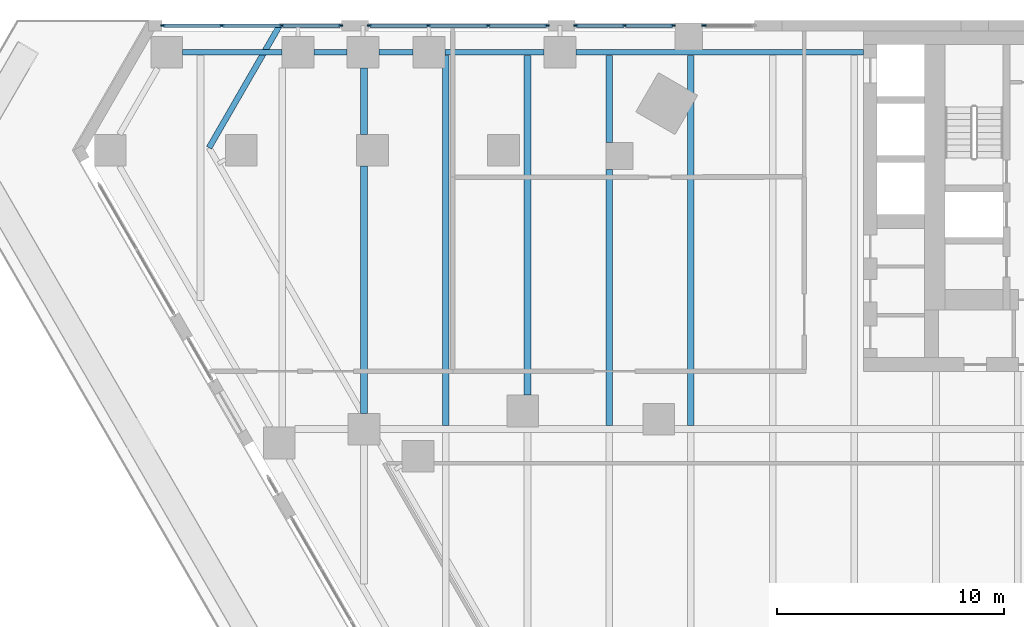
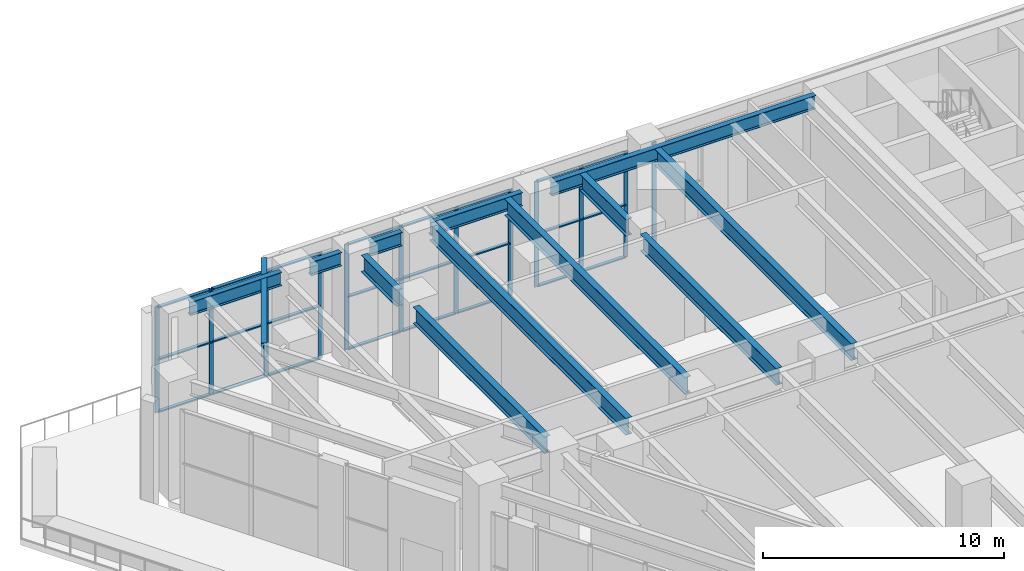
# One storey, part 12 of 40: 36 members, 13 beams, 4 elements without a shape of their own.
"""IFC4 building model written with IfcOpenShell, lengths in metres."""

from ifc_helpers import new_model, si_unit, direction, frame, origin, origin_2d, place, context, subcontext, project, spatial, rectangle, i_section, extrude, material, material_profile, profile_set, type_object, element, aggregate, save


model = new_model("IFC4")

# Units and contexts
model_context = context("Model", 3, precision=1e-05, world=origin(), true_north=direction((0.0, 1.0)))
body_context = subcontext(model_context, "Body", "Model", "MODEL_VIEW")
ifc_project = project(units=[si_unit("LENGTHUNIT", "METRE"), si_unit("AREAUNIT", "SQUARE_METRE"), si_unit("VOLUMEUNIT", "CUBIC_METRE"), si_unit("PLANEANGLEUNIT", "RADIAN"), si_unit("MASSUNIT", "GRAM", prefix="KILO")], contexts=[model_context])

# Site, building, storey
site_placement = place(None, origin())
site = spatial("IfcSite", under=ifc_project, at=site_placement, CompositionType="ELEMENT")
building_placement = place(site_placement, origin())
building = spatial("IfcBuilding", under=site, at=building_placement, Name="Aloe Facet Convention Tower", CompositionType="ELEMENT")
storey_placement = place(building_placement, frame((0.0, 0.0, 13.5)))
storey = spatial("IfcBuildingStorey", under=building, at=storey_placement, Name="L02", CompositionType="ELEMENT", Elevation=13.5)

# Beam
ifc_material_1 = material(Name="Steel S355", Category="steel")
ifc_material_profile_1 = material_profile(ifc_material_1, i_section(OverallWidth=0.25439453125, OverallDepth=0.6875, WebThickness=0.01318359375, FlangeThickness=0.02099609375, FilletRadius=0.01513671875, at=origin_2d()), Name="UB 686x254x152")
ifc_profile_set_1 = profile_set([ifc_material_profile_1], Name="Steel S355")
beam_type_1 = type_object("IfcBeamType", Name="EV-EB-UB686x254x152", PredefinedType="BEAM", material=ifc_profile_set_1)
beam_1_placement = place(storey_placement, frame((40.279541015625, 134.77490234375, 5.40625), z_axis=(-0.500016243463, -0.866016025414, 0.0), x_axis=(0.866016025414, -0.500016243463, 0.0)))
element("IfcBeam", 1, at=beam_1_placement, inside=storey, type_object=beam_type_1, Name="EB-L03-A", PredefinedType="BEAM", context=body_context, shape_type="SweptSolid", body=[
    extrude(i_section(OverallWidth=0.25439453125, OverallDepth=0.6875, WebThickness=0.01318359375, FlangeThickness=0.02099609375, FilletRadius=0.01513671875, at=origin_2d()), origin(), (0.0, 0.0, 1.0), 6.210205078125),
])

# Curtain wall, member
ifc_material_2 = material(Name="Aluminium, anodised", Category="aluminium")
curtain_wall_type = type_object("IfcCurtainWallType", Name="EV-CW-HALL", PredefinedType="USERDEFINED", material=ifc_material_2)
curtain_wall_1_placement = place(storey_placement, origin())
curtain_wall_1 = element("IfcCurtainWall", 2, at=curtain_wall_1_placement, inside=storey, type_object=curtain_wall_type, Name="CW-L02-N16-1", ObjectType="UNITISED HALL GLAZING", PredefinedType="USERDEFINED")
ifc_material_3 = material(Name="Aluminium, anodised", Category="aluminium")
ifc_material_profile_2 = material_profile(ifc_material_3, rectangle(XDim=0.06494140625, YDim=0.199951171875, at=origin_2d()), Name="AL 65x200")
ifc_profile_set_2 = profile_set([ifc_material_profile_2], Name="Aluminium, anodised")
member_type_1 = type_object("IfcMemberType", Name="EV-MULL-HALL", PredefinedType="MULLION", material=ifc_profile_set_2)
member_1_placement = place(storey_placement, frame((58.982421875, 134.77490234375, -0.300048828125), z_axis=(0.0, 0.0, 1.0), x_axis=(0.0, -1.0, 0.0)))
member_1 = element("IfcMember", 3, at=member_1_placement, type_object=member_type_1, Name="CW-L02-N16-1 mullion 2", PredefinedType="MULLION", context=body_context, shape_type="SweptSolid", body=[
    extrude(rectangle(XDim=0.06494140625, YDim=0.199951171875, at=origin_2d()), origin(), (0.0, 0.0, 1.0), 5.362548828125),
])
aggregate(curtain_wall_1, [member_1])

# Curtain wall, members
curtain_wall_2_placement = place(storey_placement, origin())
curtain_wall_2 = element("IfcCurtainWall", 4, at=curtain_wall_2_placement, inside=storey, type_object=curtain_wall_type, Name="CW-L02-N16-2", ObjectType="UNITISED HALL GLAZING", PredefinedType="USERDEFINED")
member_2_placement = place(storey_placement, frame((57.617431640625, 134.77490234375, -0.300048828125), z_axis=(0.0, 0.0, 1.0), x_axis=(0.0, -1.0, 0.0)))
member_2 = element("IfcMember", 5, at=member_2_placement, type_object=member_type_1, Name="CW-L02-N16-2 mullion 1", PredefinedType="MULLION", context=body_context, shape_type="SweptSolid", body=[
    extrude(rectangle(XDim=0.06494140625, YDim=0.199951171875, at=origin_2d()), origin(), (0.0, 0.0, 1.0), 5.362548828125),
])
member_3_placement = place(storey_placement, frame((55.476806640625, 134.77490234375, -0.300048828125), z_axis=(0.0, 0.0, 1.0), x_axis=(0.0, -1.0, 0.0)))
member_3 = element("IfcMember", 6, at=member_3_placement, type_object=member_type_1, Name="CW-L02-N16-2 mullion 2", PredefinedType="MULLION", context=body_context, shape_type="SweptSolid", body=[
    extrude(rectangle(XDim=0.06494140625, YDim=0.199951171875, at=origin_2d()), origin(), (0.0, 0.0, 1.0), 5.362548828125),
])
member_4_placement = place(storey_placement, frame((53.336181640625, 134.77490234375, -0.300048828125), z_axis=(0.0, 0.0, 1.0), x_axis=(0.0, -1.0, 0.0)))
member_4 = element("IfcMember", 7, at=member_4_placement, type_object=member_type_1, Name="CW-L02-N16-2 mullion 3", PredefinedType="MULLION", context=body_context, shape_type="SweptSolid", body=[
    extrude(rectangle(XDim=0.06494140625, YDim=0.199951171875, at=origin_2d()), origin(), (0.0, 0.0, 1.0), 5.362548828125),
])

curtain_wall_3_placement = place(storey_placement, origin())
curtain_wall_3 = element("IfcCurtainWall", 8, at=curtain_wall_3_placement, inside=storey, type_object=curtain_wall_type, Name="CW-L02-N18", ObjectType="UNITISED HALL GLAZING", PredefinedType="USERDEFINED")
member_5_placement = place(storey_placement, frame((52.071044921875, 134.77490234375, -0.300048828125), z_axis=(0.0, 0.0, 1.0), x_axis=(0.0, -1.0, 0.0)))
member_5 = element("IfcMember", 9, at=member_5_placement, type_object=member_type_1, Name="CW-L02-N18 mullion 1", PredefinedType="MULLION", context=body_context, shape_type="SweptSolid", body=[
    extrude(rectangle(XDim=0.06494140625, YDim=0.199951171875, at=origin_2d()), origin(), (0.0, 0.0, 1.0), 5.362548828125),
])
member_6_placement = place(storey_placement, frame((49.470703125, 134.77490234375, -0.300048828125), z_axis=(0.0, 0.0, 1.0), x_axis=(0.0, -1.0, 0.0)))
member_6 = element("IfcMember", 10, at=member_6_placement, type_object=member_type_1, Name="CW-L02-N18 mullion 2", PredefinedType="MULLION", context=body_context, shape_type="SweptSolid", body=[
    extrude(rectangle(XDim=0.06494140625, YDim=0.199951171875, at=origin_2d()), origin(), (0.0, 0.0, 1.0), 5.362548828125),
])
member_7_placement = place(storey_placement, frame((46.837646484375, 134.77490234375, -0.300048828125), z_axis=(0.0, 0.0, 1.0), x_axis=(0.0, -1.0, 0.0)))
member_7 = element("IfcMember", 11, at=member_7_placement, type_object=member_type_1, Name="CW-L02-N18 mullion 3", PredefinedType="MULLION", context=body_context, shape_type="SweptSolid", body=[
    extrude(rectangle(XDim=0.06494140625, YDim=0.199951171875, at=origin_2d()), origin(), (0.0, 0.0, 1.0), 5.362548828125),
])
member_8_placement = place(storey_placement, frame((44.2373046875, 134.77490234375, -0.300048828125), z_axis=(0.0, 0.0, 1.0), x_axis=(0.0, -1.0, 0.0)))
member_8 = element("IfcMember", 12, at=member_8_placement, type_object=member_type_1, Name="CW-L02-N18 mullion 4", PredefinedType="MULLION", context=body_context, shape_type="SweptSolid", body=[
    extrude(rectangle(XDim=0.06494140625, YDim=0.199951171875, at=origin_2d()), origin(), (0.0, 0.0, 1.0), 5.362548828125),
])

curtain_wall_4_placement = place(storey_placement, origin())
curtain_wall_4 = element("IfcCurtainWall", 13, at=curtain_wall_4_placement, inside=storey, type_object=curtain_wall_type, Name="CW-L02-N20", ObjectType="UNITISED HALL GLAZING", PredefinedType="USERDEFINED")
member_9_placement = place(storey_placement, frame((42.972412109375, 134.77490234375, -0.300048828125), z_axis=(0.0, 0.0, 1.0), x_axis=(0.0, -1.0, 0.0)))
member_9 = element("IfcMember", 14, at=member_9_placement, type_object=member_type_1, Name="CW-L02-N20 mullion 1", PredefinedType="MULLION", context=body_context, shape_type="SweptSolid", body=[
    extrude(rectangle(XDim=0.06494140625, YDim=0.199951171875, at=origin_2d()), origin(), (0.0, 0.0, 1.0), 5.362548828125),
])
member_10_placement = place(storey_placement, frame((40.371826171875, 134.77490234375, -0.300048828125), z_axis=(0.0, 0.0, 1.0), x_axis=(0.0, -1.0, 0.0)))
member_10 = element("IfcMember", 15, at=member_10_placement, type_object=member_type_1, Name="CW-L02-N20 mullion 2", PredefinedType="MULLION", context=body_context, shape_type="SweptSolid", body=[
    extrude(rectangle(XDim=0.06494140625, YDim=0.199951171875, at=origin_2d()), origin(), (0.0, 0.0, 1.0), 5.362548828125),
])
member_11_placement = place(storey_placement, frame((37.739013671875, 134.77490234375, -0.300048828125), z_axis=(0.0, 0.0, 1.0), x_axis=(0.0, -1.0, 0.0)))
member_11 = element("IfcMember", 16, at=member_11_placement, type_object=member_type_1, Name="CW-L02-N20 mullion 3", PredefinedType="MULLION", context=body_context, shape_type="SweptSolid", body=[
    extrude(rectangle(XDim=0.06494140625, YDim=0.199951171875, at=origin_2d()), origin(), (0.0, 0.0, 1.0), 5.362548828125),
])
member_12_placement = place(storey_placement, frame((35.138427734375, 134.77490234375, -0.300048828125), z_axis=(0.0, 0.0, 1.0), x_axis=(0.0, -1.0, 0.0)))
member_12 = element("IfcMember", 17, at=member_12_placement, type_object=member_type_1, Name="CW-L02-N20 mullion 4", PredefinedType="MULLION", context=body_context, shape_type="SweptSolid", body=[
    extrude(rectangle(XDim=0.06494140625, YDim=0.199951171875, at=origin_2d()), origin(), (0.0, 0.0, 1.0), 5.362548828125),
])

# Member
ifc_material_4 = material(Name="Aluminium, anodised", Category="aluminium")
ifc_material_profile_3 = material_profile(ifc_material_4, rectangle(XDim=0.159912109375, YDim=0.06494140625, at=origin_2d()), Name="AL 160x65")
ifc_profile_set_3 = profile_set([ifc_material_profile_3], Name="Aluminium, anodised")
member_type_2 = type_object("IfcMemberType", Name="EV-TRAN-HALL", PredefinedType="USERDEFINED", material=ifc_profile_set_3)
member_13_placement = place(storey_placement, frame((57.5849609375, 134.77490234375, -0.267578125), z_axis=(-1.0, 0.0, 0.0), x_axis=(0.0, -1.0, 0.0)))
member_13 = element("IfcMember", 18, at=member_13_placement, type_object=member_type_2, Name="CW-L02-N16-2 transom 1.1", ObjectType="TRANSOM", PredefinedType="USERDEFINED", context=body_context, shape_type="SweptSolid", body=[
    extrude(rectangle(XDim=0.159912109375, YDim=0.06494140625, at=origin_2d()), origin(), (0.0, 0.0, 1.0), 2.07568359375),
])

member_14_placement = place(storey_placement, frame((57.5849609375, 134.77490234375, 2.38134765625), z_axis=(-1.0, 0.0, 0.0), x_axis=(0.0, -1.0, 0.0)))
member_14 = element("IfcMember", 19, at=member_14_placement, type_object=member_type_2, Name="CW-L02-N16-2 transom 1.2", ObjectType="TRANSOM", PredefinedType="USERDEFINED", context=body_context, shape_type="SweptSolid", body=[
    extrude(rectangle(XDim=0.159912109375, YDim=0.06494140625, at=origin_2d()), origin(), (0.0, 0.0, 1.0), 2.07568359375),
])

member_15_placement = place(storey_placement, frame((57.5849609375, 134.77490234375, 5.030029296875), z_axis=(-1.0, 0.0, 0.0), x_axis=(0.0, -1.0, 0.0)))
member_15 = element("IfcMember", 20, at=member_15_placement, type_object=member_type_2, Name="CW-L02-N16-2 transom 1.3", ObjectType="TRANSOM", PredefinedType="USERDEFINED", context=body_context, shape_type="SweptSolid", body=[
    extrude(rectangle(XDim=0.159912109375, YDim=0.06494140625, at=origin_2d()), origin(), (0.0, 0.0, 1.0), 2.07568359375),
])

member_16_placement = place(storey_placement, frame((55.4443359375, 134.77490234375, -0.267578125), z_axis=(-1.0, 0.0, 0.0), x_axis=(0.0, -1.0, 0.0)))
member_16 = element("IfcMember", 21, at=member_16_placement, type_object=member_type_2, Name="CW-L02-N16-2 transom 2.1", ObjectType="TRANSOM", PredefinedType="USERDEFINED", context=body_context, shape_type="SweptSolid", body=[
    extrude(rectangle(XDim=0.159912109375, YDim=0.06494140625, at=origin_2d()), origin(), (0.0, 0.0, 1.0), 2.07568359375),
])

member_17_placement = place(storey_placement, frame((55.4443359375, 134.77490234375, 2.38134765625), z_axis=(-1.0, 0.0, 0.0), x_axis=(0.0, -1.0, 0.0)))
member_17 = element("IfcMember", 22, at=member_17_placement, type_object=member_type_2, Name="CW-L02-N16-2 transom 2.2", ObjectType="TRANSOM", PredefinedType="USERDEFINED", context=body_context, shape_type="SweptSolid", body=[
    extrude(rectangle(XDim=0.159912109375, YDim=0.06494140625, at=origin_2d()), origin(), (0.0, 0.0, 1.0), 2.07568359375),
])

member_18_placement = place(storey_placement, frame((55.4443359375, 134.77490234375, 5.030029296875), z_axis=(-1.0, 0.0, 0.0), x_axis=(0.0, -1.0, 0.0)))
member_18 = element("IfcMember", 23, at=member_18_placement, type_object=member_type_2, Name="CW-L02-N16-2 transom 2.3", ObjectType="TRANSOM", PredefinedType="USERDEFINED", context=body_context, shape_type="SweptSolid", body=[
    extrude(rectangle(XDim=0.159912109375, YDim=0.06494140625, at=origin_2d()), origin(), (0.0, 0.0, 1.0), 2.07568359375),
])

aggregate(curtain_wall_2, [member_2, member_3, member_4, member_13, member_14, member_15, member_16, member_17, member_18])

member_19_placement = place(storey_placement, frame((52.03857421875, 134.77490234375, -0.267578125), z_axis=(-1.0, 0.0, 0.0), x_axis=(0.0, -1.0, 0.0)))
member_19 = element("IfcMember", 24, at=member_19_placement, type_object=member_type_2, Name="CW-L02-N18 transom 1.1", ObjectType="TRANSOM", PredefinedType="USERDEFINED", context=body_context, shape_type="SweptSolid", body=[
    extrude(rectangle(XDim=0.159912109375, YDim=0.06494140625, at=origin_2d()), origin(), (0.0, 0.0, 1.0), 2.535400390625),
])

member_20_placement = place(storey_placement, frame((52.03857421875, 134.77490234375, 2.38134765625), z_axis=(-1.0, 0.0, 0.0), x_axis=(0.0, -1.0, 0.0)))
member_20 = element("IfcMember", 25, at=member_20_placement, type_object=member_type_2, Name="CW-L02-N18 transom 1.2", ObjectType="TRANSOM", PredefinedType="USERDEFINED", context=body_context, shape_type="SweptSolid", body=[
    extrude(rectangle(XDim=0.159912109375, YDim=0.06494140625, at=origin_2d()), origin(), (0.0, 0.0, 1.0), 2.535400390625),
])

member_21_placement = place(storey_placement, frame((52.03857421875, 134.77490234375, 5.030029296875), z_axis=(-1.0, 0.0, 0.0), x_axis=(0.0, -1.0, 0.0)))
member_21 = element("IfcMember", 26, at=member_21_placement, type_object=member_type_2, Name="CW-L02-N18 transom 1.3", ObjectType="TRANSOM", PredefinedType="USERDEFINED", context=body_context, shape_type="SweptSolid", body=[
    extrude(rectangle(XDim=0.159912109375, YDim=0.06494140625, at=origin_2d()), origin(), (0.0, 0.0, 1.0), 2.535400390625),
])

member_22_placement = place(storey_placement, frame((49.438232421875, 134.77490234375, -0.267578125), z_axis=(-1.0, 0.0, 0.0), x_axis=(0.0, -1.0, 0.0)))
member_22 = element("IfcMember", 27, at=member_22_placement, type_object=member_type_2, Name="CW-L02-N18 transom 2.1", ObjectType="TRANSOM", PredefinedType="USERDEFINED", context=body_context, shape_type="SweptSolid", body=[
    extrude(rectangle(XDim=0.159912109375, YDim=0.06494140625, at=origin_2d()), origin(), (0.0, 0.0, 1.0), 2.568115234375),
])

member_23_placement = place(storey_placement, frame((49.438232421875, 134.77490234375, 2.38134765625), z_axis=(-1.0, 0.0, 0.0), x_axis=(0.0, -1.0, 0.0)))
member_23 = element("IfcMember", 28, at=member_23_placement, type_object=member_type_2, Name="CW-L02-N18 transom 2.2", ObjectType="TRANSOM", PredefinedType="USERDEFINED", context=body_context, shape_type="SweptSolid", body=[
    extrude(rectangle(XDim=0.159912109375, YDim=0.06494140625, at=origin_2d()), origin(), (0.0, 0.0, 1.0), 2.568115234375),
])

member_24_placement = place(storey_placement, frame((49.438232421875, 134.77490234375, 5.030029296875), z_axis=(-1.0, 0.0, 0.0), x_axis=(0.0, -1.0, 0.0)))
member_24 = element("IfcMember", 29, at=member_24_placement, type_object=member_type_2, Name="CW-L02-N18 transom 2.3", ObjectType="TRANSOM", PredefinedType="USERDEFINED", context=body_context, shape_type="SweptSolid", body=[
    extrude(rectangle(XDim=0.159912109375, YDim=0.06494140625, at=origin_2d()), origin(), (0.0, 0.0, 1.0), 2.568115234375),
])

member_25_placement = place(storey_placement, frame((46.80517578125, 134.77490234375, -0.267578125), z_axis=(-1.0, 0.0, 0.0), x_axis=(0.0, -1.0, 0.0)))
member_25 = element("IfcMember", 30, at=member_25_placement, type_object=member_type_2, Name="CW-L02-N18 transom 3.1", ObjectType="TRANSOM", PredefinedType="USERDEFINED", context=body_context, shape_type="SweptSolid", body=[
    extrude(rectangle(XDim=0.159912109375, YDim=0.06494140625, at=origin_2d()), origin(), (0.0, 0.0, 1.0), 2.535400390625),
])

member_26_placement = place(storey_placement, frame((46.80517578125, 134.77490234375, 2.38134765625), z_axis=(-1.0, 0.0, 0.0), x_axis=(0.0, -1.0, 0.0)))
member_26 = element("IfcMember", 31, at=member_26_placement, type_object=member_type_2, Name="CW-L02-N18 transom 3.2", ObjectType="TRANSOM", PredefinedType="USERDEFINED", context=body_context, shape_type="SweptSolid", body=[
    extrude(rectangle(XDim=0.159912109375, YDim=0.06494140625, at=origin_2d()), origin(), (0.0, 0.0, 1.0), 2.535400390625),
])

member_27_placement = place(storey_placement, frame((46.80517578125, 134.77490234375, 5.030029296875), z_axis=(-1.0, 0.0, 0.0), x_axis=(0.0, -1.0, 0.0)))
member_27 = element("IfcMember", 32, at=member_27_placement, type_object=member_type_2, Name="CW-L02-N18 transom 3.3", ObjectType="TRANSOM", PredefinedType="USERDEFINED", context=body_context, shape_type="SweptSolid", body=[
    extrude(rectangle(XDim=0.159912109375, YDim=0.06494140625, at=origin_2d()), origin(), (0.0, 0.0, 1.0), 2.535400390625),
])

aggregate(curtain_wall_3, [member_5, member_6, member_7, member_8, member_19, member_20, member_21, member_22, member_23, member_24, member_25, member_26, member_27])

member_28_placement = place(storey_placement, frame((42.939697265625, 134.77490234375, -0.267578125), z_axis=(-1.0, 0.0, 0.0), x_axis=(0.0, -1.0, 0.0)))
member_28 = element("IfcMember", 33, at=member_28_placement, type_object=member_type_2, Name="CW-L02-N20 transom 1.1", ObjectType="TRANSOM", PredefinedType="USERDEFINED", context=body_context, shape_type="SweptSolid", body=[
    extrude(rectangle(XDim=0.159912109375, YDim=0.06494140625, at=origin_2d()), origin(), (0.0, 0.0, 1.0), 2.535400390625),
])

member_29_placement = place(storey_placement, frame((42.939697265625, 134.77490234375, 2.38134765625), z_axis=(-1.0, 0.0, 0.0), x_axis=(0.0, -1.0, 0.0)))
member_29 = element("IfcMember", 34, at=member_29_placement, type_object=member_type_2, Name="CW-L02-N20 transom 1.2", ObjectType="TRANSOM", PredefinedType="USERDEFINED", context=body_context, shape_type="SweptSolid", body=[
    extrude(rectangle(XDim=0.159912109375, YDim=0.06494140625, at=origin_2d()), origin(), (0.0, 0.0, 1.0), 2.535400390625),
])

member_30_placement = place(storey_placement, frame((42.939697265625, 134.77490234375, 5.030029296875), z_axis=(-1.0, 0.0, 0.0), x_axis=(0.0, -1.0, 0.0)))
member_30 = element("IfcMember", 35, at=member_30_placement, type_object=member_type_2, Name="CW-L02-N20 transom 1.3", ObjectType="TRANSOM", PredefinedType="USERDEFINED", context=body_context, shape_type="SweptSolid", body=[
    extrude(rectangle(XDim=0.159912109375, YDim=0.06494140625, at=origin_2d()), origin(), (0.0, 0.0, 1.0), 2.535400390625),
])

member_31_placement = place(storey_placement, frame((40.33935546875, 134.77490234375, -0.267578125), z_axis=(-1.0, 0.0, 0.0), x_axis=(0.0, -1.0, 0.0)))
member_31 = element("IfcMember", 36, at=member_31_placement, type_object=member_type_2, Name="CW-L02-N20 transom 2.1", ObjectType="TRANSOM", PredefinedType="USERDEFINED", context=body_context, shape_type="SweptSolid", body=[
    extrude(rectangle(XDim=0.159912109375, YDim=0.06494140625, at=origin_2d()), origin(), (0.0, 0.0, 1.0), 2.56787109375),
])

member_32_placement = place(storey_placement, frame((40.33935546875, 134.77490234375, 2.38134765625), z_axis=(-1.0, 0.0, 0.0), x_axis=(0.0, -1.0, 0.0)))
member_32 = element("IfcMember", 37, at=member_32_placement, type_object=member_type_2, Name="CW-L02-N20 transom 2.2", ObjectType="TRANSOM", PredefinedType="USERDEFINED", context=body_context, shape_type="SweptSolid", body=[
    extrude(rectangle(XDim=0.159912109375, YDim=0.06494140625, at=origin_2d()), origin(), (0.0, 0.0, 1.0), 2.56787109375),
])

member_33_placement = place(storey_placement, frame((40.33935546875, 134.77490234375, 5.030029296875), z_axis=(-1.0, 0.0, 0.0), x_axis=(0.0, -1.0, 0.0)))
member_33 = element("IfcMember", 38, at=member_33_placement, type_object=member_type_2, Name="CW-L02-N20 transom 2.3", ObjectType="TRANSOM", PredefinedType="USERDEFINED", context=body_context, shape_type="SweptSolid", body=[
    extrude(rectangle(XDim=0.159912109375, YDim=0.06494140625, at=origin_2d()), origin(), (0.0, 0.0, 1.0), 2.56787109375),
])

member_34_placement = place(storey_placement, frame((37.70654296875, 134.77490234375, -0.267578125), z_axis=(-1.0, 0.0, 0.0), x_axis=(0.0, -1.0, 0.0)))
member_34 = element("IfcMember", 39, at=member_34_placement, type_object=member_type_2, Name="CW-L02-N20 transom 3.1", ObjectType="TRANSOM", PredefinedType="USERDEFINED", context=body_context, shape_type="SweptSolid", body=[
    extrude(rectangle(XDim=0.159912109375, YDim=0.06494140625, at=origin_2d()), origin(), (0.0, 0.0, 1.0), 2.53564453125),
])

member_35_placement = place(storey_placement, frame((37.70654296875, 134.77490234375, 2.38134765625), z_axis=(-1.0, 0.0, 0.0), x_axis=(0.0, -1.0, 0.0)))
member_35 = element("IfcMember", 40, at=member_35_placement, type_object=member_type_2, Name="CW-L02-N20 transom 3.2", ObjectType="TRANSOM", PredefinedType="USERDEFINED", context=body_context, shape_type="SweptSolid", body=[
    extrude(rectangle(XDim=0.159912109375, YDim=0.06494140625, at=origin_2d()), origin(), (0.0, 0.0, 1.0), 2.53564453125),
])

member_36_placement = place(storey_placement, frame((37.70654296875, 134.77490234375, 5.030029296875), z_axis=(-1.0, 0.0, 0.0), x_axis=(0.0, -1.0, 0.0)))
member_36 = element("IfcMember", 41, at=member_36_placement, type_object=member_type_2, Name="CW-L02-N20 transom 3.3", ObjectType="TRANSOM", PredefinedType="USERDEFINED", context=body_context, shape_type="SweptSolid", body=[
    extrude(rectangle(XDim=0.159912109375, YDim=0.06494140625, at=origin_2d()), origin(), (0.0, 0.0, 1.0), 2.53564453125),
])

aggregate(curtain_wall_4, [member_9, member_10, member_11, member_12, member_28, member_29, member_30, member_31, member_32, member_33, member_34, member_35, member_36])

# Beams
ifc_material_5 = material(Name="Steel S355", Category="steel")
ifc_material_profile_4 = material_profile(ifc_material_5, i_section(OverallWidth=0.25439453125, OverallDepth=0.6875, WebThickness=0.01318359375, FlangeThickness=0.02099609375, FilletRadius=0.01513671875, at=origin_2d()), Name="UB 686x254x152")
ifc_profile_set_4 = profile_set([ifc_material_profile_4], Name="Steel S355")
beam_type_2 = type_object("IfcBeamType", Name="SF-B-UB686x254x152", PredefinedType="BEAM", material=ifc_profile_set_4)
beam_2_placement = place(storey_placement, frame((36.013916015625, 133.60009765625, 5.40625), z_axis=(1.0, 0.0, 0.0), x_axis=(0.0, 1.0, 0.0)))
element("IfcBeam", 42, at=beam_2_placement, inside=storey, type_object=beam_type_2, Name="Floor beam FB-L03-002", PredefinedType="BEAM", context=body_context, shape_type="SweptSolid", body=[
    extrude(i_section(OverallWidth=0.25439453125, OverallDepth=0.6875, WebThickness=0.01318359375, FlangeThickness=0.02099609375, FilletRadius=0.01513671875, at=origin_2d()), origin(), (0.0, 0.0, 1.0), 4.3740234375),
])
beam_3_placement = place(storey_placement, frame((41.7880859375, 133.60009765625, 5.40625), z_axis=(1.0, 0.0, 0.0), x_axis=(0.0, 1.0, 0.0)))
element("IfcBeam", 43, at=beam_3_placement, inside=storey, type_object=beam_type_2, Name="Floor beam FB-L03-004", PredefinedType="BEAM", context=body_context, shape_type="SweptSolid", body=[
    extrude(i_section(OverallWidth=0.25439453125, OverallDepth=0.6875, WebThickness=0.01318359375, FlangeThickness=0.02099609375, FilletRadius=0.01513671875, at=origin_2d()), origin(), (0.0, 0.0, 1.0), 1.469970703125),
])
beam_4_placement = place(storey_placement, frame((44.657958984375, 133.60009765625, 5.40625), z_axis=(1.0, 0.0, 0.0), x_axis=(0.0, 1.0, 0.0)))
element("IfcBeam", 44, at=beam_4_placement, inside=storey, type_object=beam_type_2, Name="Floor beam FB-L03-005", PredefinedType="BEAM", context=body_context, shape_type="SweptSolid", body=[
    extrude(i_section(OverallWidth=0.25439453125, OverallDepth=0.6875, WebThickness=0.01318359375, FlangeThickness=0.02099609375, FilletRadius=0.01513671875, at=origin_2d()), origin(), (0.0, 0.0, 1.0), 1.5029296875),
])
beam_5_placement = place(storey_placement, frame((47.56103515625, 133.60009765625, 5.40625), z_axis=(1.0, 0.0, 0.0), x_axis=(0.0, 1.0, 0.0)))
element("IfcBeam", 45, at=beam_5_placement, inside=storey, type_object=beam_type_2, Name="Floor beam FB-L03-007", PredefinedType="BEAM", context=body_context, shape_type="SweptSolid", body=[
    extrude(i_section(OverallWidth=0.25439453125, OverallDepth=0.6875, WebThickness=0.01318359375, FlangeThickness=0.02099609375, FilletRadius=0.01513671875, at=origin_2d()), origin(), (0.0, 0.0, 1.0), 4.3740234375),
])
beam_6_placement = place(storey_placement, frame((53.3349609375, 133.60009765625, 5.40625), z_axis=(1.0, 0.0, 0.0), x_axis=(0.0, 1.0, 0.0)))
element("IfcBeam", 46, at=beam_6_placement, inside=storey, type_object=beam_type_2, Name="Floor beam FB-L03-008", PredefinedType="BEAM", context=body_context, shape_type="SweptSolid", body=[
    extrude(i_section(OverallWidth=0.25439453125, OverallDepth=0.6875, WebThickness=0.01318359375, FlangeThickness=0.02099609375, FilletRadius=0.01513671875, at=origin_2d()), origin(), (0.0, 0.0, 1.0), 12.6650390625),
])
ifc_material_6 = material(Name="Steel S355", Category="steel")
ifc_material_profile_5 = material_profile(ifc_material_6, i_section(OverallWidth=0.293701171875, OverallDepth=0.850830078125, WebThickness=0.01611328125, FlangeThickness=0.02685546875, FilletRadius=0.017822265625, at=origin_2d()), Name="UB 838x292x226")
ifc_profile_set_5 = profile_set([ifc_material_profile_5], Name="Steel S355")
beam_type_3 = type_object("IfcBeamType", Name="SF-B-UB838x292x226", PredefinedType="BEAM", material=ifc_profile_set_5)
beam_7_placement = place(storey_placement, frame((44.0, 117.699951171875, 5.324462890625), z_axis=(0.0, 1.0, 0.0), x_axis=(-1.0, 0.0, 0.0)))
element("IfcBeam", 47, at=beam_7_placement, inside=storey, type_object=beam_type_3, Name="Floor beam FB-L03-043", PredefinedType="BEAM", context=body_context, shape_type="SweptSolid", body=[
    extrude(i_section(OverallWidth=0.293701171875, OverallDepth=0.850830078125, WebThickness=0.01611328125, FlangeThickness=0.02685546875, FilletRadius=0.017822265625, at=origin_2d()), origin(), (0.0, 0.0, 1.0), 10.884033203125),
])
beam_8_placement = place(storey_placement, frame((44.0, 129.98388671875, 5.324462890625), z_axis=(0.0, 1.0, 0.0), x_axis=(-1.0, 0.0, 0.0)))
element("IfcBeam", 48, at=beam_8_placement, inside=storey, type_object=beam_type_3, Name="Floor beam FB-L03-044", PredefinedType="BEAM", context=body_context, shape_type="SweptSolid", body=[
    extrude(i_section(OverallWidth=0.293701171875, OverallDepth=0.850830078125, WebThickness=0.01611328125, FlangeThickness=0.02685546875, FilletRadius=0.017822265625, at=origin_2d()), origin(), (0.0, 0.0, 1.0), 2.916015625),
])
beam_9_placement = place(storey_placement, frame((47.60009765625, 117.152587890625, 5.324462890625), z_axis=(0.0, 1.0, 0.0), x_axis=(-1.0, 0.0, 0.0)))
element("IfcBeam", 49, at=beam_9_placement, inside=storey, type_object=beam_type_3, Name="Floor beam FB-L03-046", PredefinedType="BEAM", context=body_context, shape_type="SweptSolid", body=[
    extrude(i_section(OverallWidth=0.293701171875, OverallDepth=0.850830078125, WebThickness=0.01611328125, FlangeThickness=0.02685546875, FilletRadius=0.017822265625, at=origin_2d()), origin(), (0.0, 0.0, 1.0), 16.31005859375),
])
beam_10_placement = place(storey_placement, frame((51.199951171875, 118.5048828125, 5.324462890625), z_axis=(0.0, 1.0, 0.0), x_axis=(-1.0, 0.0, 0.0)))
element("IfcBeam", 50, at=beam_10_placement, inside=storey, type_object=beam_type_3, Name="Floor beam FB-L03-049", PredefinedType="BEAM", context=body_context, shape_type="SweptSolid", body=[
    extrude(i_section(OverallWidth=0.293701171875, OverallDepth=0.850830078125, WebThickness=0.01611328125, FlangeThickness=0.02685546875, FilletRadius=0.017822265625, at=origin_2d()), origin(), (0.0, 0.0, 1.0), 14.957763671875),
])
beam_11_placement = place(storey_placement, frame((54.800048828125, 117.152587890625, 5.324462890625), z_axis=(0.0, 1.0, 0.0), x_axis=(-1.0, 0.0, 0.0)))
element("IfcBeam", 51, at=beam_11_placement, inside=storey, type_object=beam_type_3, Name="Floor beam FB-L03-053", PredefinedType="BEAM", context=body_context, shape_type="SweptSolid", body=[
    extrude(i_section(OverallWidth=0.293701171875, OverallDepth=0.850830078125, WebThickness=0.01611328125, FlangeThickness=0.02685546875, FilletRadius=0.017822265625, at=origin_2d()), origin(), (0.0, 0.0, 1.0), 11.275390625),
])
beam_12_placement = place(storey_placement, frame((54.800048828125, 129.6279296875, 5.324462890625), z_axis=(0.0, 1.0, 0.0), x_axis=(-1.0, 0.0, 0.0)))
element("IfcBeam", 52, at=beam_12_placement, inside=storey, type_object=beam_type_3, Name="Floor beam FB-L03-054", PredefinedType="BEAM", context=body_context, shape_type="SweptSolid", body=[
    extrude(i_section(OverallWidth=0.293701171875, OverallDepth=0.850830078125, WebThickness=0.01611328125, FlangeThickness=0.02685546875, FilletRadius=0.017822265625, at=origin_2d()), origin(), (0.0, 0.0, 1.0), 3.834716796875),
])
beam_13_placement = place(storey_placement, frame((58.39990234375, 117.152587890625, 5.324462890625), z_axis=(0.0, 1.0, 0.0), x_axis=(-1.0, 0.0, 0.0)))
element("IfcBeam", 53, at=beam_13_placement, inside=storey, type_object=beam_type_3, Name="Floor beam FB-L03-057", PredefinedType="BEAM", context=body_context, shape_type="SweptSolid", body=[
    extrude(i_section(OverallWidth=0.293701171875, OverallDepth=0.850830078125, WebThickness=0.01611328125, FlangeThickness=0.02685546875, FilletRadius=0.017822265625, at=origin_2d()), origin(), (0.0, 0.0, 1.0), 16.31005859375),
])

save(model, "model.ifc")
